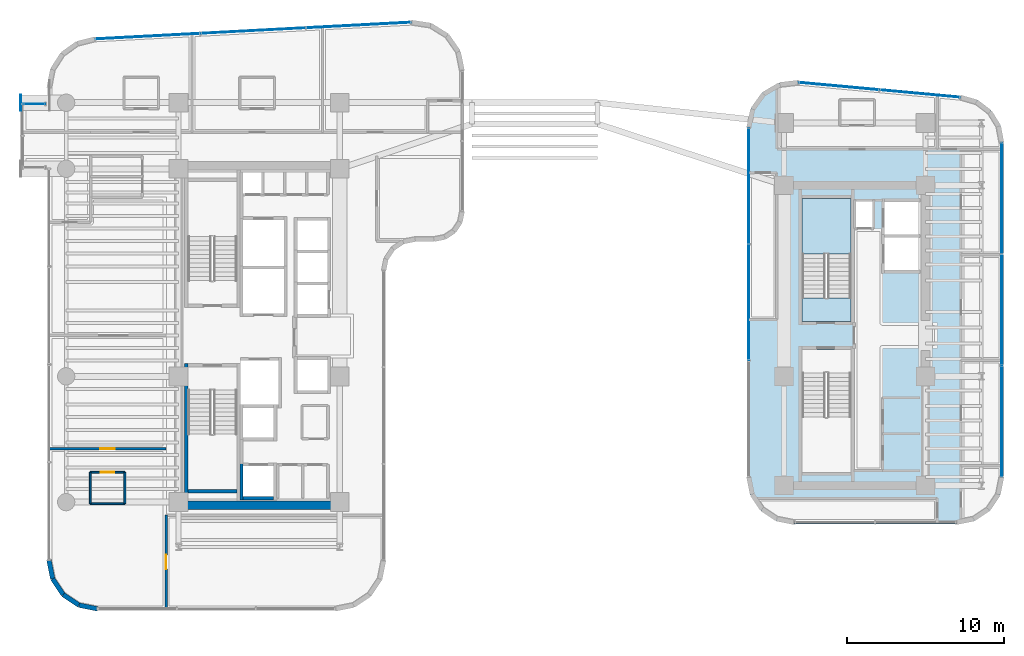
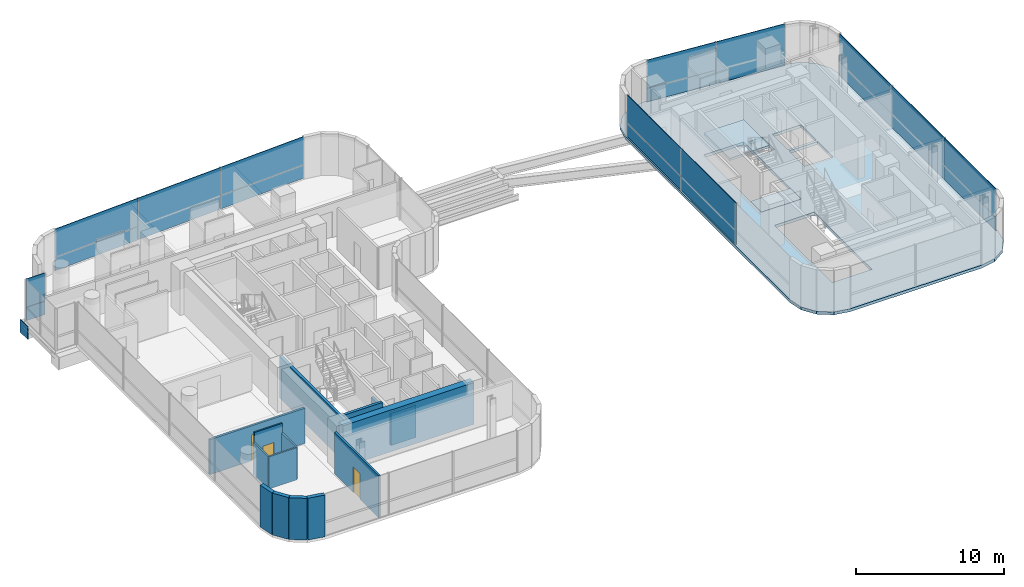
# One storey, part 27 of 36: 19 plates, 15 walls, 3 doors, 3 slabs, 3 openings, 6 elements without a shape of their own.
"""IFC4 building model written with IfcOpenShell, lengths in metres."""

import ifcopenshell
import ifcopenshell.guid

model = None  # the IFC model being written
_history = None  # IfcOwnerHistory: only IFC2X3 demands one
_inside = {}  # id of a spatial element -> (the spatial element, [elements in it])
_under = {}  # id of a project, library or spatial element -> (it, [spatial elements below it])
_declared = {}  # id of a project -> (the project, [libraries it declares])
_typed = {}  # id of a type object -> (the type object, [elements of that type])
_made_of = {}  # id of a material, layer set ... -> (it, [elements and type objects made of it])


def new_model(schema):
    """Start an empty IFC model of exactly this schema.

    Asked for "IFC4X3", IfcOpenShell would pick the latest addendum, in which some entities
    have other attributes; the version numbers below select the first issue.
    IFC2X3 requires an IfcOwnerHistory on every rooted entity: one is made here for all.
    """
    global model, _history
    if schema == "IFC4X3":
        model = ifcopenshell.file(schema_version=(4, 3, 0, 0))
    else:
        model = ifcopenshell.file(schema=schema)
    _inside.clear()
    _under.clear()
    _declared.clear()
    _typed.clear()
    _made_of.clear()
    _history = None
    if model.schema == "IFC2X3":
        org = make("IfcOrganization", Name="unknown")
        user = make(
            "IfcPersonAndOrganization",
            ThePerson=make("IfcPerson", FamilyName="unknown"),
            TheOrganization=org,
        )
        app = make(
            "IfcApplication",
            ApplicationDeveloper=org,
            Version="unknown",
            ApplicationFullName="unknown",
            ApplicationIdentifier="unknown",
        )
        _history = make(
            "IfcOwnerHistory",
            OwningUser=user,
            OwningApplication=app,
            ChangeAction="ADDED",
            CreationDate=0,
        )
    return model


def make(cls, **values):
    """One entity of the class cls with the attributes given. An attribute that is None is left unset."""
    return model.create_entity(
        cls, **{name: value for name, value in values.items() if value is not None}
    )


def rooted(cls, **values):
    """An entity with a GlobalId (a new one), such as an element, a storey or a relation."""
    return make(cls, GlobalId=ifcopenshell.guid.new(), OwnerHistory=_history, **values)


def si_unit(unit_type, name, prefix=None):
    """IfcSIUnit, for example si_unit("LENGTHUNIT", "METRE", prefix="MILLI")."""
    return make("IfcSIUnit", UnitType=unit_type, Prefix=prefix, Name=name)


def assignment(units):
    """IfcUnitAssignment: the units of a project."""
    return None if units is None else make("IfcUnitAssignment", Units=units)


def point(xyz):
    """IfcCartesianPoint."""
    return None if xyz is None else make("IfcCartesianPoint", Coordinates=xyz)


def direction(xyz):
    """IfcDirection."""
    return None if xyz is None else make("IfcDirection", DirectionRatios=xyz)


def frame(location, z_axis=None, x_axis=None):
    """IfcAxis2Placement3D, a coordinate frame: its origin and axes. An axis left out is left unset."""
    return make(
        "IfcAxis2Placement3D",
        Location=point(location),
        Axis=direction(z_axis),
        RefDirection=direction(x_axis),
    )


def frame_2d(location, x_axis=None):
    """IfcAxis2Placement2D, a coordinate frame in the plane: its origin and x axis."""
    return make(
        "IfcAxis2Placement2D", Location=point(location), RefDirection=direction(x_axis)
    )


def origin():
    """The frame at (0, 0, 0) with its axes left unset."""
    return frame((0.0, 0.0, 0.0))


def origin_2d():
    """The frame at (0, 0) in the plane with its x axis left unset."""
    return frame_2d((0.0, 0.0))


def place(relative_to, where):
    """IfcLocalPlacement: puts the frame where relative to a parent placement (None: the world)."""
    return make(
        "IfcLocalPlacement", PlacementRelTo=relative_to, RelativePlacement=where
    )


def context(
    kind, dimensions, precision=None, world=None, true_north=None, identifier=None
):
    """IfcGeometricRepresentationContext, for example the 3D "Model" context."""
    return make(
        "IfcGeometricRepresentationContext",
        ContextIdentifier=identifier,
        ContextType=kind,
        CoordinateSpaceDimension=dimensions,
        Precision=precision,
        WorldCoordinateSystem=world,
        TrueNorth=true_north,
    )


def subcontext(parent, identifier, kind, view, scale=None):
    """IfcGeometricRepresentationSubContext, for example "Body" below "Model"."""
    return make(
        "IfcGeometricRepresentationSubContext",
        ContextIdentifier=identifier,
        ContextType=kind,
        ParentContext=parent,
        TargetScale=scale,
        TargetView=view,
    )


def project(units=None, contexts=None):
    """IfcProject with its units and contexts."""
    return rooted(
        "IfcProject",
        Name="project",
        RepresentationContexts=contexts,
        UnitsInContext=assignment(units),
    )


def spatial(cls, under=None, at=None, **own):
    """A site, building, storey or space (cls), placed at a placement, below another one or the project."""
    s = rooted(cls, ObjectPlacement=at, **own)
    if under is not None:
        _under.setdefault(under.id(), (under, []))[1].append(s)
    return s


def polyline(points):
    """IfcPolyline through the points."""
    return make("IfcPolyline", Points=[point(p) for p in points])


def profile(cls, at=None, kind="AREA", **sizes):
    """A parametric profile (cls). Its sizes go by their IFC names, for example OverallWidth=200.0."""
    return make(cls, ProfileType=kind, Position=at, **sizes)


def rectangle(**sizes):
    """IfcRectangleProfileDef."""
    return profile("IfcRectangleProfileDef", **sizes)


def outline(outer, holes=None, kind="AREA"):
    """IfcArbitraryClosedProfileDef: a profile drawn as a closed curve; with holes, ...WithVoids."""
    if holes is None:
        return make("IfcArbitraryClosedProfileDef", ProfileType=kind, OuterCurve=outer)
    return make(
        "IfcArbitraryProfileDefWithVoids",
        ProfileType=kind,
        OuterCurve=outer,
        InnerCurves=holes,
    )


def extrude(swept, where, along, depth):
    """IfcExtrudedAreaSolid: the profile swept, set in the frame where, extruded along a direction by depth."""
    return make(
        "IfcExtrudedAreaSolid",
        SweptArea=swept,
        Position=where,
        ExtrudedDirection=direction(along),
        Depth=depth,
    )


def shape(context_of_items, identifier, shape_type, items):
    """IfcShapeRepresentation: the items that make up one representation, for example the "Body"."""
    return make(
        "IfcShapeRepresentation",
        ContextOfItems=context_of_items,
        RepresentationIdentifier=identifier,
        RepresentationType=shape_type,
        Items=items,
    )


def source(mapping_origin, context_of_items, identifier, shape_type, items):
    """IfcRepresentationMap: a shape defined once, which mapped items show again and again."""
    return make(
        "IfcRepresentationMap",
        MappingOrigin=mapping_origin,
        MappedRepresentation=shape(context_of_items, identifier, shape_type, items),
    )


def transform(
    local_origin,
    x_axis=None,
    y_axis=None,
    z_axis=None,
    scale=None,
    scale2=None,
    scale3=None,
    uniform=True,
):
    """IfcCartesianTransformationOperator3D, or its non-uniform kind. x_axis, y_axis, z_axis: its Axis1, 2, 3."""
    if uniform:
        return make(
            "IfcCartesianTransformationOperator3D",
            Axis1=direction(x_axis),
            Axis2=direction(y_axis),
            LocalOrigin=point(local_origin),
            Scale=scale,
            Axis3=direction(z_axis),
        )
    return make(
        "IfcCartesianTransformationOperator3DnonUniform",
        Axis1=direction(x_axis),
        Axis2=direction(y_axis),
        LocalOrigin=point(local_origin),
        Scale=scale,
        Axis3=direction(z_axis),
        Scale2=scale2,
        Scale3=scale3,
    )


def mapped(mapping_source, mapping_target):
    """IfcMappedItem: shows the shape of a source again, moved by a transform."""
    return make(
        "IfcMappedItem", MappingSource=mapping_source, MappingTarget=mapping_target
    )


def material(Name=None, Category=None):
    """IfcMaterial."""
    return make("IfcMaterial", Name=Name, Category=Category)


def layer(
    of_material, thickness, ventilated=None, Name=None, Category=None, Priority=None
):
    """IfcMaterialLayer: one layer of a wall or slab, of a material (None: an air gap)."""
    return make(
        "IfcMaterialLayer",
        Material=of_material,
        LayerThickness=thickness,
        IsVentilated=ventilated,
        Name=Name,
        Category=Category,
        Priority=Priority,
    )


def layer_set(layers, Name=None):
    """IfcMaterialLayerSet."""
    return make("IfcMaterialLayerSet", MaterialLayers=layers, LayerSetName=Name)


def made_of(thing, what):
    """Note that an element or type object is made of a material, layer set ...; save() writes the relation."""
    if what is not None:
        _made_of.setdefault(what.id(), (what, []))[1].append(thing)
    return thing


def type_object(cls, material=None, **own):
    """A type object (cls), such as IfcWallType, which elements share."""
    return made_of(rooted(cls, **own), material)


def element(
    cls,
    number,
    at=None,
    inside=None,
    cuts=None,
    type_object=None,
    material=None,
    context=None,
    identifier="Body",
    shape_type=None,
    held_by="IfcProductDefinitionShape",
    body=None,
    shapes=None,
    **own,
):
    """One element of the class cls, such as IfcWall. Its Tag is "e" and its number.

    at: its placement. inside: the storey or other place that contains it. cuts: it is an
    opening in that element (IfcRelVoidsElement). A single representation is given by context,
    identifier, shape_type and body (its items); several are given by shapes. held_by: the class
    of the entity that holds the representations. save() writes the other relations.
    """
    e = rooted(cls, Tag="e%d" % number, ObjectPlacement=at, **own)
    if body is not None:
        shapes = [shape(context, identifier, shape_type, body)]
    if shapes is not None:
        e.Representation = make(held_by, Representations=shapes)
    if inside is not None:
        _inside.setdefault(inside.id(), (inside, []))[1].append(e)
    if cuts is not None:
        rooted(
            "IfcRelVoidsElement", RelatingBuildingElement=cuts, RelatedOpeningElement=e
        )
    if type_object is not None:
        _typed.setdefault(type_object.id(), (type_object, []))[1].append(e)
    return made_of(e, material)


def fill(opening, filler):
    """IfcRelFillsElement: the door or window that sits in an opening."""
    return rooted(
        "IfcRelFillsElement",
        RelatingOpeningElement=opening,
        RelatedBuildingElement=filler,
    )


def aggregate(whole, parts):
    """IfcRelAggregates: a whole, such as a stair, and the parts it consists of."""
    return rooted("IfcRelAggregates", RelatingObject=whole, RelatedObjects=parts)


def save(model, path):
    """Write the relations noted so far, then the file.

    IfcRelAggregates (storeys below a building ...), IfcRelContainedInSpatialStructure (elements
    in a storey), IfcRelDefinesByType, IfcRelAssociatesMaterial and IfcRelDeclares: one each for
    every whole, place, type object, material and project.
    """
    for whole, parts in _under.values():
        aggregate(whole, parts)
    for where, things in _inside.values():
        rooted(
            "IfcRelContainedInSpatialStructure",
            RelatedElements=things,
            RelatingStructure=where,
        )
    for kind, things in _typed.values():
        rooted("IfcRelDefinesByType", RelatedObjects=things, RelatingType=kind)
    for what, things in _made_of.values():
        rooted("IfcRelAssociatesMaterial", RelatedObjects=things, RelatingMaterial=what)
    for by, libraries in _declared.values():
        rooted("IfcRelDeclares", RelatingContext=by, RelatedDefinitions=libraries)
    model.write(path)


model = new_model("IFC4")

# Units and contexts
model_context = context("Model", 3, precision=1e-05, world=origin(), true_north=direction((0.0, 1.0)))
body_context = subcontext(model_context, "Body", "Model", "MODEL_VIEW")
ifc_project = project(units=[si_unit("LENGTHUNIT", "METRE"), si_unit("AREAUNIT", "SQUARE_METRE"), si_unit("VOLUMEUNIT", "CUBIC_METRE"), si_unit("PLANEANGLEUNIT", "RADIAN"), si_unit("MASSUNIT", "GRAM", prefix="KILO")], contexts=[model_context])

# Site, building, storey
site_placement = place(None, origin())
site = spatial("IfcSite", under=ifc_project, at=site_placement, CompositionType="ELEMENT")
building_placement = place(site_placement, origin())
building = spatial("IfcBuilding", under=site, at=building_placement, Name="Valdorenza Pilgrim Sanctuary Tower", CompositionType="ELEMENT")
storey_placement = place(building_placement, frame((0.0, 0.0, 153.800048828125)))
storey = spatial("IfcBuildingStorey", under=building, at=storey_placement, Name="L39", CompositionType="ELEMENT", Elevation=153.800048828125)

# Slab
ifc_material_1 = material(Name="Concrete C40/50", Category="concrete")
ifc_layer_1 = layer(ifc_material_1, 0.239990234375, Name="Concrete C40/50")
ifc_layer_set_1 = layer_set([ifc_layer_1], Name="Concrete C40/50")
slab_type_1 = type_object("IfcSlabType", Name="SLAB-FLR-220", PredefinedType="FLOOR", material=ifc_layer_set_1)
slab_1_placement = place(storey_placement, frame((0.0, 0.0, -0.239990234375)))
element("IfcSlab", 1, at=slab_1_placement, inside=storey, type_object=slab_type_1, Name="L39 Structural Floor Slab 2", PredefinedType="FLOOR", context=body_context, shape_type="SweptSolid", body=[
    extrude(outline(polyline([(13.5, 13.211181640625), (13.75537109375, 14.422607421875), (14.478271484375, 15.427490234375), (15.54541015625, 16.055419921875), (16.77490234375, 16.198486328125), (27.074951171875, 15.250732421875), (28.135986328125, 14.949462890625), (29.016357421875, 14.28515625), (29.59716796875, 13.34765625), (29.800048828125, 12.263427734375), (29.800048828125, -9.0), (29.571533203125, -10.148193359375), (28.92138671875, -11.121337890625), (27.947998046875, -11.771484375), (26.800048828125, -12.0), (16.5, -12.0), (15.351806640625, -11.771484375), (14.378662109375, -11.121337890625), (13.728515625, -10.148193359375), (13.5, -9.0), (13.5, 13.211181640625)]), holes=[polyline([(17.0, -8.699951171875), (20.110107421875, -8.699951171875), (20.110107421875, -2.385009765625), (20.110107421875, -0.89990234375), (17.0, -0.89990234375), (17.0, -2.385009765625), (17.0, -8.699951171875)]), polyline([(17.0, 0.89990234375), (20.110107421875, 0.89990234375), (20.110107421875, 2.385009765625), (20.110107421875, 8.699951171875), (17.0, 8.699951171875), (17.0, 2.385009765625), (17.0, 0.89990234375)]), polyline([(22.25, 4.14990234375), (24.47998046875, 4.14990234375), (24.47998046875, 6.22509765625), (22.25, 6.22509765625), (22.25, 4.14990234375)]), polyline([(22.25, 6.425048828125), (24.47998046875, 6.425048828125), (24.47998046875, 8.5), (22.25, 8.5), (22.25, 6.425048828125)]), polyline([(20.409912109375, 6.860107421875), (21.489990234375, 6.860107421875), (21.489990234375, 8.52001953125), (20.409912109375, 8.52001953125), (20.409912109375, 6.860107421875)])]), origin(), (0.0, 0.0, 1.0), 0.239990234375),
])

# Stair, slab
stair_type = type_object("IfcStairType", Name="STR-DOG-CORE", PredefinedType="HALF_TURN_STAIR", material=ifc_material_1)
stair_placement = place(storey_placement, origin())
stair = element("IfcStair", 2, at=stair_placement, inside=storey, type_object=stair_type, Name="L39 ST-B1", PredefinedType="HALF_TURN_STAIR")
ifc_layer_2 = layer(ifc_material_1, 0.199951171875, Name="Concrete C40/50")
ifc_layer_set_2 = layer_set([ifc_layer_2], Name="Concrete C40/50")
slab_type_2 = type_object("IfcSlabType", Name="SLAB-STL-200", PredefinedType="LANDING", material=ifc_layer_set_2)
slab_2_placement = place(storey_placement, frame((0.0, 0.0, 1.64990234375)))
slab_2 = element("IfcSlab", 3, at=slab_2_placement, type_object=slab_type_2, Name="ST-B1 landing 1", PredefinedType="LANDING", context=body_context, shape_type="SweptSolid", body=[
    extrude(outline(polyline([(20.110107421875, 5.179931640625), (20.110107421875, 8.699951171875), (17.0, 8.699951171875), (17.0, 5.179931640625), (20.110107421875, 5.179931640625)])), origin(), (0.0, 0.0, 1.0), 0.199951171875),
])
aggregate(stair, [slab_2])

# Slab
ifc_material_2 = material(Name="Concrete C50/60", Category="concrete")
ifc_layer_3 = layer(ifc_material_2, 0.39990234375, Name="Concrete C50/60")
ifc_layer_set_3 = layer_set([ifc_layer_3], Name="Concrete C50/60")
slab_type_3 = type_object("IfcSlabType", Name="SLAB-TRF-400", PredefinedType="FLOOR", material=ifc_layer_set_3)
slab_3_placement = place(storey_placement, frame((0.0, 0.0, -0.360107421875)))
element("IfcSlab", 4, at=slab_3_placement, inside=storey, type_object=slab_type_3, Name="L39 ST-B1 Structural Stair Landing Bearing Slab", PredefinedType="FLOOR", context=body_context, shape_type="SweptSolid", body=[
    extrude(outline(polyline([(17.0, 0.89990234375), (20.110107421875, 0.89990234375), (20.110107421875, 2.385009765625), (17.0, 2.385009765625), (17.0, 0.89990234375)])), origin(), (0.0, 0.0, 1.0), 0.360107421875),
])

# Plate
ifc_material_3 = material(Name="Steel ASTM A572 Grade 42", Category="steel")
ifc_layer_4 = layer(ifc_material_3, 0.06005859375, Name="Steel ASTM A572 Grade 42")
ifc_layer_set_4 = layer_set([ifc_layer_4], Name="Steel ASTM A572 Grade 42")
plate_type_1 = type_object("IfcPlateType", Name="PLT-CAP-60", PredefinedType="SHEET", material=ifc_layer_set_4)
shared_shape_1 = source(origin(), body_context, "Body", "SweptSolid", [
    extrude(rectangle(XDim=0.06005859375, YDim=1.0400390625, at=origin_2d()), origin(), (0.0, 0.0, 1.0), 1.0400390625),
])
plate_1_placement = place(storey_placement, frame((-32.679931640625, 14.800048828125, -1.260009765625), z_axis=(0.0, 0.0, 1.0), x_axis=(1.0, 0.0, 0.0)))
element("IfcPlate", 5, at=plate_1_placement, inside=storey, type_object=plate_type_1, Name="L39 BOX-WA-L39 Cantilever Tip End Cap N", PredefinedType="SHEET", context=body_context, shape_type="MappedRepresentation", body=[
    mapped(shared_shape_1, transform((0.0, 0.0, 0.0), x_axis=(1.0, 0.0, 0.0), y_axis=(0.0, 1.0, 0.0), z_axis=(0.0, 0.0, 1.0), scale=1.0)),
])

# Curtain wall, plates
ifc_material_4 = material(Name="Curtain-wall IGU glazing", Category="glass")
curtain_wall_type_1 = type_object("IfcCurtainWallType", Name="CW-SYS-02", PredefinedType="NOTDEFINED", material=ifc_material_4)
curtain_wall_1_placement = place(storey_placement, origin())
curtain_wall_1 = element("IfcCurtainWall", 6, at=curtain_wall_1_placement, inside=storey, type_object=curtain_wall_type_1, Name="L39 Curtain Wall CW-L39-BOX-WA-L39-N", PredefinedType="NOTDEFINED")
ifc_material_5 = material(Name="Honed travertine limestone", Category="masonry")
ifc_layer_5 = layer(ifc_material_5, 0.050048828125, Name="Honed travertine limestone")
ifc_layer_set_5 = layer_set([ifc_layer_5], Name="Honed travertine limestone")
plate_type_2 = type_object("IfcPlateType", Name="CW-SPN-TRV", PredefinedType="USERDEFINED", material=ifc_layer_set_5)
shared_shape_2 = source(origin(), body_context, "Body", "SweptSolid", [
    extrude(rectangle(XDim=1.43994140625, YDim=0.06005859375, at=origin_2d()), origin(), (0.0, 0.0, 1.0), 1.10009765625),
])
plate_2_placement = place(storey_placement, frame((-31.840087890625, 14.719970703125, 0.010009765625), z_axis=(0.0, 0.0, 1.0), x_axis=(1.0, 0.0, 0.0)))
plate_2 = element("IfcPlate", 7, at=plate_2_placement, type_object=plate_type_2, Name="CW-L39-BOX-WA-L39-N Travertine Spandrel 1", ObjectType="SPANDREL", PredefinedType="USERDEFINED", context=body_context, shape_type="MappedRepresentation", body=[
    mapped(shared_shape_2, transform((0.0, 0.0, 0.0), x_axis=(1.0, 0.0, 0.0), y_axis=(0.0, 1.0, 0.0), z_axis=(0.0, 0.0, 1.0), scale=1.0)),
])
ifc_material_6 = material(Name="Ceramic-fritted low-E IGU glazing", Category="glass")
ifc_layer_6 = layer(ifc_material_6, 0.035888671875, Name="Ceramic-fritted low-E IGU glazing")
ifc_layer_set_6 = layer_set([ifc_layer_6], Name="Ceramic-fritted low-E IGU glazing")
plate_type_3 = type_object("IfcPlateType", Name="CW-GLZ-IGU", PredefinedType="USERDEFINED", material=ifc_layer_set_6)
shared_shape_3 = source(origin(), body_context, "Body", "SweptSolid", [
    extrude(rectangle(XDim=1.43994140625, YDim=0.050048828125, at=origin_2d()), origin(), (0.0, 0.0, 1.0), 2.320068359375),
])
plate_3_placement = place(storey_placement, frame((-31.840087890625, 14.719970703125, 1.1298828125), z_axis=(0.0, 0.0, 1.0), x_axis=(1.0, 0.0, 0.0)))
plate_3 = element("IfcPlate", 8, at=plate_3_placement, type_object=plate_type_3, Name="CW-L39-BOX-WA-L39-N Facade Panel 1", ObjectType="GLAZING", PredefinedType="USERDEFINED", context=body_context, shape_type="MappedRepresentation", body=[
    mapped(shared_shape_3, transform((0.0, 0.0, 0.0), x_axis=(1.0, 0.0, 0.0), y_axis=(0.0, 1.0, 0.0), z_axis=(0.0, 0.0, 1.0), scale=1.0)),
])
aggregate(curtain_wall_1, [plate_2, plate_3])

curtain_wall_2_placement = place(storey_placement, origin())
curtain_wall_2 = element("IfcCurtainWall", 9, at=curtain_wall_2_placement, inside=storey, type_object=curtain_wall_type_1, Name="L39 Curtain Wall CW-L39-1-6", PredefinedType="NOTDEFINED")
shared_shape_4 = source(origin(), body_context, "Body", "SweptSolid", [
    extrude(rectangle(XDim=6.68212890625, YDim=0.06005859375, at=origin_2d()), origin(), (0.0, 0.0, 1.0), 1.10009765625),
])
plate_4_placement = place(storey_placement, frame((-24.606201171875, 19.027587890625, 0.010009765625), z_axis=(0.0, 0.0, 1.0), x_axis=(0.998607524712, 0.052754256601, 0.0)))
plate_4 = element("IfcPlate", 10, at=plate_4_placement, type_object=plate_type_2, Name="CW-L39-1-6 Travertine Spandrel 1", ObjectType="SPANDREL", PredefinedType="USERDEFINED", context=body_context, shape_type="MappedRepresentation", body=[
    mapped(shared_shape_4, transform((0.0, 0.0, 0.0), x_axis=(1.0, 0.0, 0.0), y_axis=(0.0, 1.0, 0.0), z_axis=(0.0, 0.0, 1.0), scale=1.0)),
])
plate_5_placement = place(storey_placement, frame((-11.220703125, 19.73486328125, 0.010009765625), z_axis=(0.0, 0.0, 1.0), x_axis=(0.998607524712, 0.052754256601, 0.0)))
plate_5 = element("IfcPlate", 11, at=plate_5_placement, type_object=plate_type_2, Name="CW-L39-1-6 Travertine Spandrel 3", ObjectType="SPANDREL", PredefinedType="USERDEFINED", context=body_context, shape_type="MappedRepresentation", body=[
    mapped(shared_shape_4, transform((0.0, 0.0, 0.0), x_axis=(1.0, 0.0, 0.0), y_axis=(0.0, 1.0, 0.0), z_axis=(0.0, 0.0, 1.0), scale=1.0)),
])
shared_shape_5 = source(origin(), body_context, "Body", "SweptSolid", [
    extrude(rectangle(XDim=6.68212890625, YDim=0.050048828125, at=origin_2d()), origin(), (0.0, 0.0, 1.0), 2.320068359375),
])
plate_6_placement = place(storey_placement, frame((-24.606201171875, 19.027587890625, 1.1298828125), z_axis=(0.0, 0.0, 1.0), x_axis=(0.998607524712, 0.052754256601, 0.0)))
plate_6 = element("IfcPlate", 12, at=plate_6_placement, type_object=plate_type_3, Name="CW-L39-1-6 Facade Panel 1", ObjectType="GLAZING", PredefinedType="USERDEFINED", context=body_context, shape_type="MappedRepresentation", body=[
    mapped(shared_shape_5, transform((0.0, 0.0, 0.0), x_axis=(1.0, 0.0, 0.0), y_axis=(0.0, 1.0, 0.0), z_axis=(0.0, 0.0, 1.0), scale=1.0)),
])
plate_7_placement = place(storey_placement, frame((-11.220703125, 19.73486328125, 1.1298828125), z_axis=(0.0, 0.0, 1.0), x_axis=(0.998607524712, 0.052754256601, 0.0)))
plate_7 = element("IfcPlate", 13, at=plate_7_placement, type_object=plate_type_3, Name="CW-L39-1-6 Facade Panel 3", ObjectType="GLAZING", PredefinedType="USERDEFINED", context=body_context, shape_type="MappedRepresentation", body=[
    mapped(shared_shape_5, transform((0.0, 0.0, 0.0), x_axis=(1.0, 0.0, 0.0), y_axis=(0.0, 1.0, 0.0), z_axis=(0.0, 0.0, 1.0), scale=1.0)),
])
shared_shape_6 = source(origin(), body_context, "Body", "SweptSolid", [
    extrude(rectangle(XDim=6.68212890625, YDim=0.050048828125, at=origin_2d()), origin(), (0.0, 0.0, 1.0), 3.43994140625),
])
plate_8_placement = place(storey_placement, frame((-17.913330078125, 19.381103515625, 0.010009765625), z_axis=(0.0, 0.0, 1.0), x_axis=(0.998607524712, 0.052754256601, 0.0)))
plate_8 = element("IfcPlate", 14, at=plate_8_placement, type_object=plate_type_3, Name="CW-L39-1-6 Full-Height Facade Panel 2", ObjectType="GLAZING", PredefinedType="USERDEFINED", context=body_context, shape_type="MappedRepresentation", body=[
    mapped(shared_shape_6, transform((0.0, 0.0, 0.0), x_axis=(1.0, 0.0, 0.0), y_axis=(0.0, 1.0, 0.0), z_axis=(0.0, 0.0, 1.0), scale=1.0)),
])
aggregate(curtain_wall_2, [plate_4, plate_6, plate_8, plate_5, plate_7])

curtain_wall_type_2 = type_object("IfcCurtainWallType", Name="CW-SYS-03", PredefinedType="NOTDEFINED", material=ifc_material_4)
curtain_wall_3_placement = place(storey_placement, origin())
curtain_wall_3 = element("IfcCurtainWall", 15, at=curtain_wall_3_placement, inside=storey, type_object=curtain_wall_type_2, Name="L39 Curtain Wall CW-L39-2-1", PredefinedType="NOTDEFINED")
shared_shape_7 = source(origin(), body_context, "Body", "SweptSolid", [
    extrude(rectangle(XDim=7.376220703125, YDim=0.06005859375, at=origin_2d()), origin(), (0.0, 0.0, 1.0), 1.10009765625),
])
plate_9_placement = place(storey_placement, frame((13.610107421875, 9.501708984375, 0.010009765625), z_axis=(0.0, 0.0, 1.0), x_axis=(0.0, 1.0, 0.0)))
plate_9 = element("IfcPlate", 16, at=plate_9_placement, type_object=plate_type_2, Name="CW-L39-2-1 Travertine Spandrel 3", ObjectType="SPANDREL", PredefinedType="USERDEFINED", context=body_context, shape_type="MappedRepresentation", body=[
    mapped(shared_shape_7, transform((0.0, 0.0, 0.0), x_axis=(1.0, 0.0, 0.0), y_axis=(0.0, 1.0, 0.0), z_axis=(0.0, 0.0, 1.0), scale=1.0)),
])
shared_shape_8 = source(origin(), body_context, "Body", "SweptSolid", [
    extrude(rectangle(XDim=7.376220703125, YDim=0.050048828125, at=origin_2d()), origin(), (0.0, 0.0, 1.0), 2.320068359375),
])
plate_10_placement = place(storey_placement, frame((13.610107421875, 9.501708984375, 1.1298828125), z_axis=(0.0, 0.0, 1.0), x_axis=(0.0, 1.0, 0.0)))
plate_10 = element("IfcPlate", 17, at=plate_10_placement, type_object=plate_type_3, Name="CW-L39-2-1 Facade Panel 3", ObjectType="GLAZING", PredefinedType="USERDEFINED", context=body_context, shape_type="MappedRepresentation", body=[
    mapped(shared_shape_8, transform((0.0, 0.0, 0.0), x_axis=(1.0, 0.0, 0.0), y_axis=(0.0, 1.0, 0.0), z_axis=(0.0, 0.0, 1.0), scale=1.0)),
])
shared_shape_9 = source(origin(), body_context, "Body", "SweptSolid", [
    extrude(rectangle(XDim=7.376220703125, YDim=0.050048828125, at=origin_2d()), origin(), (0.0, 0.0, 1.0), 3.43994140625),
])
plate_11_placement = place(storey_placement, frame((13.610107421875, 2.105224609375, 0.010009765625), z_axis=(0.0, 0.0, 1.0), x_axis=(0.0, 1.0, 0.0)))
plate_11 = element("IfcPlate", 18, at=plate_11_placement, type_object=plate_type_3, Name="CW-L39-2-1 Full-Height Facade Panel 2", ObjectType="GLAZING", PredefinedType="USERDEFINED", context=body_context, shape_type="MappedRepresentation", body=[
    mapped(shared_shape_9, transform((0.0, 0.0, 0.0), x_axis=(1.0, 0.0, 0.0), y_axis=(0.0, 1.0, 0.0), z_axis=(0.0, 0.0, 1.0), scale=1.0)),
])
aggregate(curtain_wall_3, [plate_11, plate_9, plate_10])

curtain_wall_4_placement = place(storey_placement, origin())
curtain_wall_4 = element("IfcCurtainWall", 19, at=curtain_wall_4_placement, inside=storey, type_object=curtain_wall_type_2, Name="L39 Curtain Wall CW-L39-2-6", PredefinedType="NOTDEFINED")
shared_shape_10 = source(origin(), body_context, "Body", "SweptSolid", [
    extrude(rectangle(XDim=5.14111328125, YDim=0.06005859375, at=origin_2d()), origin(), (0.0, 0.0, 1.0), 1.10009765625),
])
plate_12_placement = place(storey_placement, frame((19.345703125, 15.8515625, 0.010009765625), z_axis=(0.0, 0.0, 1.0), x_axis=(0.995793741111, -0.091623278503, 0.0)))
plate_12 = element("IfcPlate", 20, at=plate_12_placement, type_object=plate_type_2, Name="CW-L39-2-6 Travertine Spandrel 1", ObjectType="SPANDREL", PredefinedType="USERDEFINED", context=body_context, shape_type="MappedRepresentation", body=[
    mapped(shared_shape_10, transform((0.0, 0.0, 0.0), x_axis=(1.0, 0.0, 0.0), y_axis=(0.0, 1.0, 0.0), z_axis=(0.0, 0.0, 1.0), scale=1.0)),
])
shared_shape_11 = source(origin(), body_context, "Body", "SweptSolid", [
    extrude(rectangle(XDim=5.14111328125, YDim=0.050048828125, at=origin_2d()), origin(), (0.0, 0.0, 1.0), 2.320068359375),
])
plate_13_placement = place(storey_placement, frame((19.345703125, 15.8515625, 1.1298828125), z_axis=(0.0, 0.0, 1.0), x_axis=(0.995793741111, -0.091623278503, 0.0)))
plate_13 = element("IfcPlate", 21, at=plate_13_placement, type_object=plate_type_3, Name="CW-L39-2-6 Facade Panel 1", ObjectType="GLAZING", PredefinedType="USERDEFINED", context=body_context, shape_type="MappedRepresentation", body=[
    mapped(shared_shape_11, transform((0.0, 0.0, 0.0), x_axis=(1.0, 0.0, 0.0), y_axis=(0.0, 1.0, 0.0), z_axis=(0.0, 0.0, 1.0), scale=1.0)),
])
shared_shape_12 = source(origin(), body_context, "Body", "SweptSolid", [
    extrude(rectangle(XDim=5.14111328125, YDim=0.050048828125, at=origin_2d()), origin(), (0.0, 0.0, 1.0), 3.43994140625),
])
plate_14_placement = place(storey_placement, frame((24.485107421875, 15.378662109375, 0.010009765625), z_axis=(0.0, 0.0, 1.0), x_axis=(0.995793741111, -0.091623278503, 0.0)))
plate_14 = element("IfcPlate", 22, at=plate_14_placement, type_object=plate_type_3, Name="CW-L39-2-6 Full-Height Facade Panel 2", ObjectType="GLAZING", PredefinedType="USERDEFINED", context=body_context, shape_type="MappedRepresentation", body=[
    mapped(shared_shape_12, transform((0.0, 0.0, 0.0), x_axis=(1.0, 0.0, 0.0), y_axis=(0.0, 1.0, 0.0), z_axis=(0.0, 0.0, 1.0), scale=1.0)),
])
aggregate(curtain_wall_4, [plate_12, plate_13, plate_14])

curtain_wall_5_placement = place(storey_placement, origin())
curtain_wall_5 = element("IfcCurtainWall", 23, at=curtain_wall_5_placement, inside=storey, type_object=curtain_wall_type_2, Name="L39 Curtain Wall CW-L39-2-11", PredefinedType="NOTDEFINED")
shared_shape_13 = source(origin(), body_context, "Body", "SweptSolid", [
    extrude(rectangle(XDim=7.060791015625, YDim=0.06005859375, at=origin_2d()), origin(), (0.0, 0.0, 1.0), 1.10009765625),
])
plate_15_placement = place(storey_placement, frame((29.68994140625, 8.712890625, 0.010009765625), z_axis=(0.0, 0.0, 1.0), x_axis=(0.0, -1.0, 0.0)))
plate_15 = element("IfcPlate", 24, at=plate_15_placement, type_object=plate_type_2, Name="CW-L39-2-11 Travertine Spandrel 1", ObjectType="SPANDREL", PredefinedType="USERDEFINED", context=body_context, shape_type="MappedRepresentation", body=[
    mapped(shared_shape_13, transform((0.0, 0.0, 0.0), x_axis=(1.0, 0.0, 0.0), y_axis=(0.0, 1.0, 0.0), z_axis=(0.0, 0.0, 1.0), scale=1.0)),
])
plate_16_placement = place(storey_placement, frame((29.68994140625, -5.44873046875, 0.010009765625), z_axis=(0.0, 0.0, 1.0), x_axis=(0.0, -1.0, 0.0)))
plate_16 = element("IfcPlate", 25, at=plate_16_placement, type_object=plate_type_2, Name="CW-L39-2-11 Travertine Spandrel 3", ObjectType="SPANDREL", PredefinedType="USERDEFINED", context=body_context, shape_type="MappedRepresentation", body=[
    mapped(shared_shape_13, transform((0.0, 0.0, 0.0), x_axis=(1.0, 0.0, 0.0), y_axis=(0.0, 1.0, 0.0), z_axis=(0.0, 0.0, 1.0), scale=1.0)),
])
shared_shape_14 = source(origin(), body_context, "Body", "SweptSolid", [
    extrude(rectangle(XDim=7.060791015625, YDim=0.050048828125, at=origin_2d()), origin(), (0.0, 0.0, 1.0), 2.320068359375),
])
plate_17_placement = place(storey_placement, frame((29.68994140625, 8.712890625, 1.1298828125), z_axis=(0.0, 0.0, 1.0), x_axis=(0.0, -1.0, 0.0)))
plate_17 = element("IfcPlate", 26, at=plate_17_placement, type_object=plate_type_3, Name="CW-L39-2-11 Facade Panel 1", ObjectType="GLAZING", PredefinedType="USERDEFINED", context=body_context, shape_type="MappedRepresentation", body=[
    mapped(shared_shape_14, transform((0.0, 0.0, 0.0), x_axis=(1.0, 0.0, 0.0), y_axis=(0.0, 1.0, 0.0), z_axis=(0.0, 0.0, 1.0), scale=1.0)),
])
plate_18_placement = place(storey_placement, frame((29.68994140625, -5.44873046875, 1.1298828125), z_axis=(0.0, 0.0, 1.0), x_axis=(0.0, -1.0, 0.0)))
plate_18 = element("IfcPlate", 27, at=plate_18_placement, type_object=plate_type_3, Name="CW-L39-2-11 Facade Panel 3", ObjectType="GLAZING", PredefinedType="USERDEFINED", context=body_context, shape_type="MappedRepresentation", body=[
    mapped(shared_shape_14, transform((0.0, 0.0, 0.0), x_axis=(1.0, 0.0, 0.0), y_axis=(0.0, 1.0, 0.0), z_axis=(0.0, 0.0, 1.0), scale=1.0)),
])
shared_shape_15 = source(origin(), body_context, "Body", "SweptSolid", [
    extrude(rectangle(XDim=7.060791015625, YDim=0.050048828125, at=origin_2d()), origin(), (0.0, 0.0, 1.0), 3.43994140625),
])
plate_19_placement = place(storey_placement, frame((29.68994140625, 1.632080078125, 0.010009765625), z_axis=(0.0, 0.0, 1.0), x_axis=(0.0, -1.0, 0.0)))
plate_19 = element("IfcPlate", 28, at=plate_19_placement, type_object=plate_type_3, Name="CW-L39-2-11 Full-Height Facade Panel 2", ObjectType="GLAZING", PredefinedType="USERDEFINED", context=body_context, shape_type="MappedRepresentation", body=[
    mapped(shared_shape_15, transform((0.0, 0.0, 0.0), x_axis=(1.0, 0.0, 0.0), y_axis=(0.0, 1.0, 0.0), z_axis=(0.0, 0.0, 1.0), scale=1.0)),
])
aggregate(curtain_wall_5, [plate_15, plate_17, plate_19, plate_16, plate_18])

# Wall, opening, door
ifc_material_7 = material(Name="Acoustic twin-stud gypsum partition", Category="gypsum")
ifc_layer_7 = layer(ifc_material_7, 0.159912109375, Name="Acoustic twin-stud gypsum partition")
ifc_layer_set_7 = layer_set([ifc_layer_7], Name="Acoustic twin-stud gypsum partition")
wall_type_1 = type_object("IfcWallType", Name="WAL-COR-160", PredefinedType="PARTITIONING", material=ifc_layer_set_7)
wall_1_placement = place(storey_placement, frame((-23.449951171875, -17.389892578125, 0.0), z_axis=(0.0, 0.0, 1.0), x_axis=(0.0, 1.0, 0.0)))
wall_1 = element("IfcWall", 29, at=wall_1_placement, inside=storey, type_object=wall_type_1, Name="L39 South-East Pocket West Wall", PredefinedType="PARTITIONING", context=body_context, shape_type="SweptSolid", body=[
    extrude(rectangle(XDim=5.969970703125, YDim=0.159912109375, at=frame_2d((2.98486328125, 0.0))), origin(), (0.0, 0.0, 1.0), 3.4599609375),
])
opening_1_placement = place(wall_1_placement, frame((2.534912109375, 0.0, 0.0)))
opening_1 = element("IfcOpeningElement", 30, at=opening_1_placement, cuts=wall_1, Name="Opening DR-RM1", PredefinedType="OPENING", context=body_context, shape_type="SweptSolid", body=[
    extrude(rectangle(XDim=0.89990234375, YDim=2.10009765625, at=frame_2d((0.449951171875, 1.050048828125))), frame((0.0, 0.0947265625, 0.0), z_axis=(0.0, -1.0, 0.0), x_axis=(1.0, 0.0, 0.0)), (0.0, 0.0, 1.0), 0.189697265625),
])
ifc_material_8 = material(Name="Solid-core European oak timber", Category="wood")
door_type_1 = type_object("IfcDoorType", Name="DR-ROOM-900", OperationType="NOTDEFINED", PredefinedType="DOOR", material=ifc_material_8)
door_1_placement = place(opening_1_placement, origin())
door_1 = element("IfcDoor", 31, at=door_1_placement, inside=storey, type_object=door_type_1, Name="L39 South Panoramic Viewing Salon L39 Door", OperationType="SINGLE_SWING_RIGHT", OverallHeight=2.10009765625, OverallWidth=0.89990234375, PredefinedType="DOOR", context=body_context, shape_type="SweptSolid", body=[
    extrude(rectangle(XDim=0.89990234375, YDim=2.10009765625, at=frame_2d((0.449951171875, 1.050048828125))), frame((0.0, 0.02490234375, 0.0), z_axis=(0.0, -1.0, 0.0), x_axis=(1.0, 0.0, 0.0)), (0.0, 0.0, 1.0), 0.050048828125),
])
fill(opening_1, door_1)

wall_2_placement = place(storey_placement, frame((-30.889892578125, -7.199951171875, 0.0), z_axis=(0.0, 0.0, 1.0), x_axis=(1.0, 0.0, 0.0)))
wall_2 = element("IfcWall", 32, at=wall_2_placement, inside=storey, type_object=wall_type_1, Name="L39 Cloister South Room Wall", PredefinedType="PARTITIONING", context=body_context, shape_type="SweptSolid", body=[
    extrude(rectangle(XDim=7.43994140625, YDim=0.159912109375, at=frame_2d((3.719970703125, 0.0))), origin(), (0.0, 0.0, 1.0), 2.89599609375),
])
opening_2_placement = place(wall_2_placement, frame((3.2451171875, 0.0, 0.0)))
opening_2 = element("IfcOpeningElement", 33, at=opening_2_placement, cuts=wall_2, Name="Opening DR-UN1", PredefinedType="OPENING", context=body_context, shape_type="SweptSolid", body=[
    extrude(rectangle(XDim=0.949951171875, YDim=2.14990234375, at=frame_2d((0.47509765625, 1.074951171875))), frame((0.0, 0.0947265625, 0.0), z_axis=(0.0, -1.0, 0.0), x_axis=(1.0, 0.0, 0.0)), (0.0, 0.0, 1.0), 0.189697265625),
])
door_type_2 = type_object("IfcDoorType", Name="DR-UNIT-950", OperationType="NOTDEFINED", PredefinedType="DOOR", material=ifc_material_8)
door_2_placement = place(opening_2_placement, origin())
door_2 = element("IfcDoor", 34, at=door_2_placement, inside=storey, type_object=door_type_2, Name="L39 Pilgrim Guest Room L39-CS1 Entrance Door", OperationType="SINGLE_SWING_RIGHT", OverallHeight=2.14990234375, OverallWidth=0.949951171875, PredefinedType="DOOR", context=body_context, shape_type="SweptSolid", body=[
    extrude(rectangle(XDim=0.949951171875, YDim=2.14990234375, at=frame_2d((0.47509765625, 1.074951171875))), frame((0.0, 0.02490234375, 0.0), z_axis=(0.0, -1.0, 0.0), x_axis=(1.0, 0.0, 0.0)), (0.0, 0.0, 1.0), 0.050048828125),
])
fill(opening_2, door_2)

# Walls
ifc_layer_8 = layer(ifc_material_2, 0.550048828125, Name="Concrete C50/60")
ifc_layer_set_8 = layer_set([ifc_layer_8], Name="Concrete C50/60")
wall_type_2 = type_object("IfcWallType", Name="WAL-COR-550", PredefinedType="SHEAR", material=ifc_layer_set_8)
wall_3_placement = place(storey_placement, frame((-22.64990234375, -10.800048828125, 0.0), z_axis=(0.0, 0.0, 1.0), x_axis=(1.0, 0.0, 0.0)))
element("IfcWall", 35, at=wall_3_placement, inside=storey, type_object=wall_type_2, Name="L39 Split Core A Shear Wall S", PredefinedType="SHEAR", context=body_context, shape_type="SweptSolid", body=[
    extrude(rectangle(XDim=10.25, YDim=0.550048828125, at=frame_2d((5.125, 0.0))), origin(), (0.0, 0.0, 1.0), 3.4599609375),
])
ifc_layer_9 = layer(ifc_material_5, 0.300048828125, Name="Honed travertine limestone")
ifc_layer_set_9 = layer_set([ifc_layer_9], Name="Honed travertine limestone")
wall_type_3 = type_object("IfcWallType", Name="WAL-EXT-300", PredefinedType="SOLIDWALL", material=ifc_layer_set_9)
wall_4_placement = place(storey_placement, frame((-27.789306640625, -17.389892578125, 0.0), z_axis=(0.0, 0.0, 1.0), x_axis=(-0.980804027463, 0.194996050505, 0.0)))
element("IfcWall", 36, at=wall_4_placement, inside=storey, type_object=wall_type_3, Name="L39 Rounded Wind-Corner Stone Pier 27", PredefinedType="SOLIDWALL", context=body_context, shape_type="SweptSolid", body=[
    extrude(rectangle(XDim=1.2158203125, YDim=0.300048828125, at=frame_2d((0.60791015625, 0.0))), origin(), (0.0, 0.0, 1.0), 3.4599609375),
])
for number, where, z_axis, x_axis, name in (
    (37, (-28.981689453125, -17.15283203125, 0.0), (0.0, 0.0, 1.0), (-0.831426265255, 0.555635100982, 0.0), "L39 Rounded Wind-Corner Stone Pier 28"),
    (38, (-29.9833984375, -16.4833984375, 0.0), (0.0, 0.0, 1.0), (-0.555635100982, 0.831426265255, 0.0), "L39 Rounded Wind-Corner Stone Pier 29"),
):
    element("IfcWall", number, at=place(storey_placement, frame(where, z_axis=z_axis, x_axis=x_axis)), inside=storey, type_object=wall_type_3, Name=name, PredefinedType="SOLIDWALL", context=body_context, shape_type="SweptSolid", body=[
        extrude(rectangle(XDim=1.204833984375, YDim=0.300048828125, at=frame_2d((0.6025390625, 0.0))), origin(), (0.0, 0.0, 1.0), 3.4599609375),
    ])
wall_5_placement = place(storey_placement, frame((-30.65283203125, -15.481689453125, 0.0), z_axis=(0.0, 0.0, 1.0), x_axis=(-0.194996050505, 0.980804027463, 0.0)))
element("IfcWall", 39, at=wall_5_placement, inside=storey, type_object=wall_type_3, Name="L39 Rounded Wind-Corner Stone Pier 30", PredefinedType="SOLIDWALL", context=body_context, shape_type="SweptSolid", body=[
    extrude(rectangle(XDim=1.2158203125, YDim=0.300048828125, at=frame_2d((0.60791015625, 0.0))), origin(), (0.0, 0.0, 1.0), 3.4599609375),
])
ifc_material_9 = material(Name="Moisture-resistant gypsum partition", Category="gypsum")
ifc_layer_10 = layer(ifc_material_9, 0.1201171875, Name="Moisture-resistant gypsum partition")
ifc_layer_set_10 = layer_set([ifc_layer_10], Name="Moisture-resistant gypsum partition")
wall_type_4 = type_object("IfcWallType", Name="WAL-INT-120", PredefinedType="PARTITIONING", material=ifc_layer_set_10)
for number, where, z_axis, x_axis, name in (
    (40, (-28.27001953125, -10.699951171875, 0.0), (0.0, 0.0, 1.0), (0.0, 1.0, 0.0), "L39 Pilgrim Guest Room L39-CS1 En-suite West Wall"),
    (41, (-26.070068359375, -10.699951171875, 0.0), (0.0, 0.0, 1.0), (0.0, 1.0, 0.0), "L39 Pilgrim Guest Room L39-CS1 En-suite East Wall"),
):
    element("IfcWall", number, at=place(storey_placement, frame(where, z_axis=z_axis, x_axis=x_axis)), inside=storey, type_object=wall_type_4, Name=name, PredefinedType="PARTITIONING", context=body_context, shape_type="SweptSolid", body=[
        extrude(rectangle(XDim=2.0, YDim=0.1201171875, at=frame_2d((1.0, 0.0))), origin(), (0.0, 0.0, 1.0), 2.666015625),
    ])
wall_6_placement = place(storey_placement, frame((-28.27001953125, -10.699951171875, 0.0), z_axis=(0.0, 0.0, 1.0), x_axis=(1.0, 0.0, 0.0)))
element("IfcWall", 42, at=wall_6_placement, inside=storey, type_object=wall_type_4, Name="L39 Pilgrim Guest Room L39-CS1 En-suite Back Wall", PredefinedType="PARTITIONING", context=body_context, shape_type="SweptSolid", body=[
    extrude(rectangle(XDim=2.199951171875, YDim=0.1201171875, at=frame_2d((1.10009765625, 0.0))), origin(), (0.0, 0.0, 1.0), 2.666015625),
])

# Wall, opening, door
wall_7_placement = place(storey_placement, frame((-28.27001953125, -8.699951171875, 0.0), z_axis=(0.0, 0.0, 1.0), x_axis=(1.0, 0.0, 0.0)))
wall_7 = element("IfcWall", 43, at=wall_7_placement, inside=storey, type_object=wall_type_4, Name="L39 Pilgrim Guest Room L39-CS1 En-suite Door Wall", PredefinedType="PARTITIONING", context=body_context, shape_type="SweptSolid", body=[
    extrude(rectangle(XDim=2.199951171875, YDim=0.1201171875, at=frame_2d((1.10009765625, 0.0))), origin(), (0.0, 0.0, 1.0), 3.4599609375),
])
opening_3_placement = place(wall_7_placement, frame((0.675048828125, 0.0, 0.0)))
opening_3 = element("IfcOpeningElement", 44, at=opening_3_placement, cuts=wall_7, Name="Opening DR-WC1", PredefinedType="OPENING", context=body_context, shape_type="SweptSolid", body=[
    extrude(rectangle(XDim=0.85009765625, YDim=2.10009765625, at=frame_2d((0.425048828125, 1.050048828125))), frame((0.0, 0.074951171875, 0.0), z_axis=(0.0, -1.0, 0.0), x_axis=(1.0, 0.0, 0.0)), (0.0, 0.0, 1.0), 0.14990234375),
])
ifc_material_10 = material(Name="Moisture-resistant lacquered timber", Category="wood")
door_type_3 = type_object("IfcDoorType", Name="DR-BATH-850", OperationType="NOTDEFINED", PredefinedType="DOOR", material=ifc_material_10)
door_3_placement = place(opening_3_placement, origin())
door_3 = element("IfcDoor", 45, at=door_3_placement, inside=storey, type_object=door_type_3, Name="L39 Pilgrim Guest Room L39-CS1 En-suite Bathroom Door", OperationType="SINGLE_SWING_LEFT", OverallHeight=2.10009765625, OverallWidth=0.85009765625, PredefinedType="DOOR", context=body_context, shape_type="SweptSolid", body=[
    extrude(rectangle(XDim=0.85009765625, YDim=2.10009765625, at=frame_2d((0.425048828125, 1.050048828125))), frame((0.0, 0.02490234375, 0.0), z_axis=(0.0, -1.0, 0.0), x_axis=(1.0, 0.0, 0.0)), (0.0, 0.0, 1.0), 0.050048828125),
])
fill(opening_3, door_3)

# Walls
ifc_material_11 = material(Name="Autoclaved aerated concrete blockwork", Category="masonry")
ifc_layer_11 = layer(ifc_material_11, 0.199951171875, Name="Autoclaved aerated concrete blockwork")
ifc_layer_set_11 = layer_set([ifc_layer_11], Name="Autoclaved aerated concrete blockwork")
wall_type_5 = type_object("IfcWallType", Name="WAL-SHF-200", PredefinedType="MOVABLE", material=ifc_layer_set_11)
wall_8_placement = place(storey_placement, frame((-18.64990234375, -10.449951171875, 0.0), z_axis=(0.0, 0.0, 1.0), x_axis=(0.0, 1.0, 0.0)))
element("IfcWall", 46, at=wall_8_placement, inside=storey, type_object=wall_type_5, Name="L39 Lift PL-05 Hoistway Wall West", PredefinedType="MOVABLE", context=body_context, shape_type="SweptSolid", body=[
    extrude(rectangle(XDim=2.349853515625, YDim=0.199951171875, at=frame_2d((1.1748046875, 0.0))), origin(), (0.0, 0.0, 1.0), 2.666015625),
])
wall_9_placement = place(storey_placement, frame((-18.550048828125, -10.35009765625, 0.0), z_axis=(0.0, 0.0, 1.0), x_axis=(1.0, 0.0, 0.0)))
element("IfcWall", 47, at=wall_9_placement, inside=storey, type_object=wall_type_5, Name="L39 Lift PL-05 Hoistway Wall South", PredefinedType="MOVABLE", context=body_context, shape_type="SweptSolid", body=[
    extrude(rectangle(XDim=1.949951171875, YDim=0.199951171875, at=frame_2d((0.97509765625, 0.0))), origin(), (0.0, 0.0, 1.0), 2.666015625),
])
ifc_layer_12 = layer(ifc_material_1, 0.219970703125, Name="Concrete C40/50")
ifc_layer_set_12 = layer_set([ifc_layer_12], Name="Concrete C40/50")
wall_type_6 = type_object("IfcWallType", Name="WAL-STR-SHF-220", PredefinedType="SHEAR", material=ifc_layer_set_12)
wall_10_placement = place(storey_placement, frame((-22.159912109375, -10.52490234375, 0.0), z_axis=(0.0, 0.0, 1.0), x_axis=(0.0, 1.0, 0.0)))
element("IfcWall", 48, at=wall_10_placement, inside=storey, type_object=wall_type_6, Name="L39 ST-A2 Structural Stairwell Wall W", PredefinedType="SHEAR", context=body_context, shape_type="SweptSolid", body=[
    extrude(rectangle(XDim=8.744873046875, YDim=0.219970703125, at=frame_2d((4.37255859375, 0.0))), origin(), (0.0, 0.0, 1.0), 3.4599609375),
])
wall_11_placement = place(storey_placement, frame((-22.050048828125, -9.909912109375, 0.0), z_axis=(0.0, 0.0, 1.0), x_axis=(1.0, 0.0, 0.0)))
element("IfcWall", 49, at=wall_11_placement, inside=storey, type_object=wall_type_6, Name="L39 ST-A2 Structural Stairwell Wall S", PredefinedType="SHEAR", context=body_context, shape_type="SweptSolid", body=[
    extrude(rectangle(XDim=3.110107421875, YDim=0.219970703125, at=frame_2d((1.55517578125, 0.0))), origin(), (0.0, 0.0, 1.0), 3.4599609375),
])

save(model, "model.ifc")
